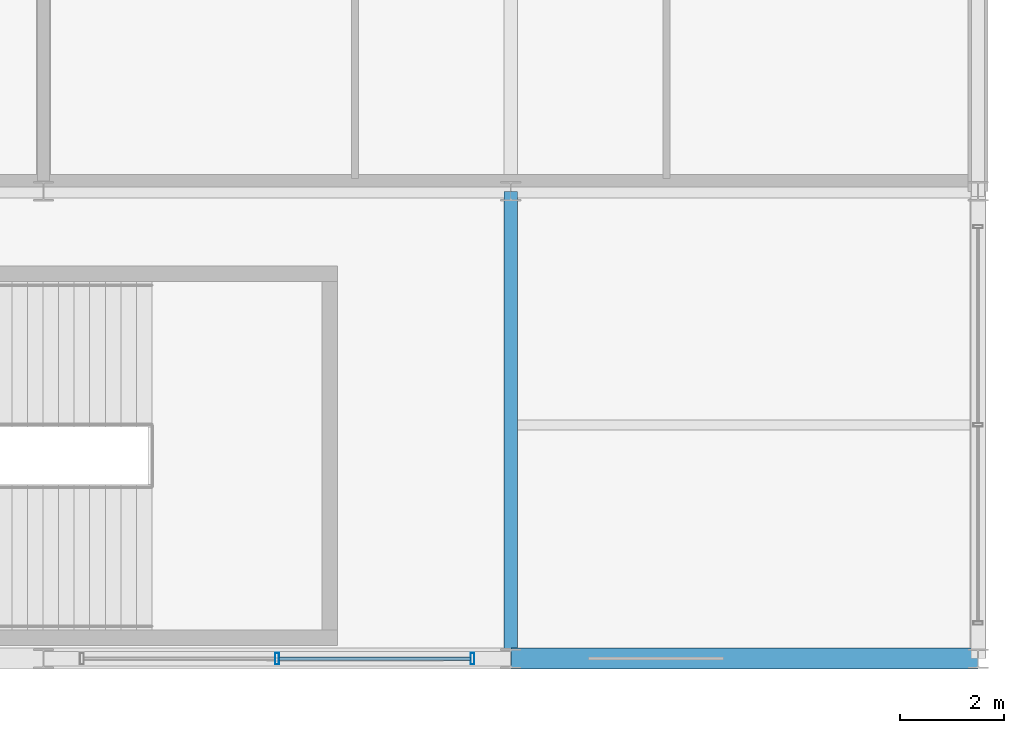
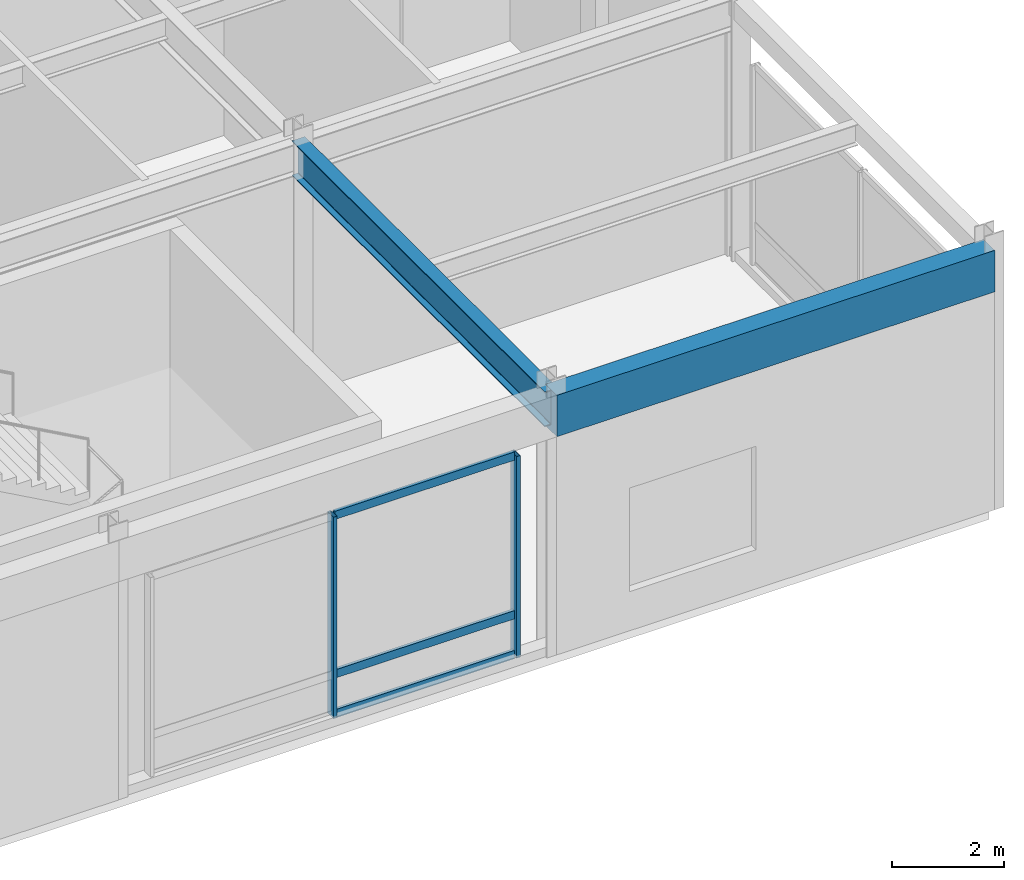
# One storey, part 51 of 108: 5 members, 2 beams, 1 element without a shape of its own.
"""IFC4 building model written with IfcOpenShell, lengths in metres."""

from ifc_helpers import new_model, si_unit, direction, frame, origin, origin_2d, place, context, subcontext, project, spatial, rectangle, hollow_rectangle, i_section, extrude, material, material_profile, profile_set, type_object, element, aggregate, save


model = new_model("IFC4")

# Units and contexts
model_context = context("Model", 3, precision=1e-05, world=origin(), true_north=direction((0.0, 1.0)))
body_context = subcontext(model_context, "Body", "Model", "MODEL_VIEW")
ifc_project = project(units=[si_unit("LENGTHUNIT", "METRE"), si_unit("AREAUNIT", "SQUARE_METRE"), si_unit("VOLUMEUNIT", "CUBIC_METRE"), si_unit("PLANEANGLEUNIT", "RADIAN"), si_unit("MASSUNIT", "GRAM", prefix="KILO")], contexts=[model_context])

# Site, building, storey
site_placement = place(None, origin())
site = spatial("IfcSite", under=ifc_project, at=site_placement, CompositionType="ELEMENT")
building_placement = place(site_placement, origin())
building = spatial("IfcBuilding", under=site, at=building_placement, Name="Kaldorvane Square Convention Centre", CompositionType="ELEMENT")
storey_placement = place(building_placement, frame((0.0, 0.0, 12.0)))
storey = spatial("IfcBuildingStorey", under=building, at=storey_placement, Name="L02", CompositionType="ELEMENT", Elevation=12.0)

# Beams
ifc_material_1 = material(Name="Steel ASTM A992 Gr. 50", Category="steel")
ifc_material_profile_1 = material_profile(ifc_material_1, i_section(OverallWidth=0.2666015625, OverallDepth=0.762298583984375, WebThickness=0.014404296875, FlangeThickness=0.0216064453125, FilletRadius=0.0164947509765625, at=origin_2d()), Name="W30X116")
ifc_profile_set_1 = profile_set([ifc_material_profile_1], Name="Steel ASTM A992 Gr. 50")
beam_type_1 = type_object("IfcBeamType", Name="BM-GR-W30X116", PredefinedType="BEAM", material=ifc_profile_set_1)
beam_1_placement = place(storey_placement, frame((165.0, 0.0, 5.264801025390625), z_axis=(0.0, 1.0, 0.0), x_axis=(-1.0, 0.0, 0.0)))
element("IfcBeam", 1, at=beam_1_placement, inside=storey, type_object=beam_type_1, Name="Transverse Girder (L02)", PredefinedType="BEAM", context=body_context, shape_type="SweptSolid", body=[
    extrude(i_section(OverallWidth=0.2666015625, OverallDepth=0.762298583984375, WebThickness=0.014404296875, FlangeThickness=0.0216064453125, FilletRadius=0.0164947509765625, at=origin_2d()), origin(), (0.0, 0.0, 1.0), 9.0),
])
ifc_material_2 = material(Name="Concrete f'c = 42 MPa (Normalweight)", Category="concrete")
ifc_material_profile_2 = material_profile(ifc_material_2, rectangle(XDim=0.399993896484375, YDim=0.899993896484375, at=origin_2d()), Name="RCSP900X400")
ifc_profile_set_2 = profile_set([ifc_material_profile_2], Name="Concrete f'c = 42 MPa (Normalweight)")
beam_type_2 = type_object("IfcBeamType", Name="BM-SP-RC900", PredefinedType="SPANDREL", material=ifc_profile_set_2)
beam_2_placement = place(storey_placement, frame((165.0, 0.0, 5.1959991455078125), z_axis=(1.0, 0.0, 0.0), x_axis=(0.0, 1.0, 0.0)))
element("IfcBeam", 2, at=beam_2_placement, inside=storey, type_object=beam_type_2, Name="Perimeter Spandrel (L02)", PredefinedType="SPANDREL", context=body_context, shape_type="SweptSolid", body=[
    extrude(rectangle(XDim=0.399993896484375, YDim=0.899993896484375, at=origin_2d()), origin(), (0.0, 0.0, 1.0), 9.0),
])

# Curtain wall, members
ifc_material_3 = material(Name="Anodized Aluminum and Low-E Insulated Glazing", Category="aluminium")
curtain_wall_type = type_object("IfcCurtainWallType", Name="CW-UNI-P60-12", PredefinedType="USERDEFINED", material=ifc_material_3)
curtain_wall_placement = place(storey_placement, origin())
curtain_wall = element("IfcCurtainWall", 3, at=curtain_wall_placement, inside=storey, type_object=curtain_wall_type, Name="Curtain Wall CW-01 (L02)", ObjectType="UNITISED GLAZING", PredefinedType="USERDEFINED")
ifc_material_profile_3 = material_profile(ifc_material_3, hollow_rectangle(XDim=0.0749969482421875, YDim=0.220001220703125, WallThickness=0.003997802734375, at=origin_2d()), Name="CWM-220X75")
ifc_profile_set_3 = profile_set([ifc_material_profile_3], Name="Anodized Aluminum and Low-E Insulated Glazing")
member_type_1 = type_object("IfcMemberType", Name="CW-MUL-220", PredefinedType="MULLION", material=ifc_profile_set_3)
member_1_placement = place(storey_placement, frame((160.5, 0.0, 0.149993896484375), z_axis=(0.0, 0.0, 1.0), x_axis=(1.0, 0.0, 0.0)))
member_1 = element("IfcMember", 4, at=member_1_placement, type_object=member_type_1, Name="CW-01 mullion 2", PredefinedType="MULLION", context=body_context, shape_type="SweptSolid", body=[
    extrude(hollow_rectangle(XDim=0.0749969482421875, YDim=0.220001220703125, WallThickness=0.003997802734375, at=origin_2d()), origin(), (0.0, 0.0, 1.0), 4.3800048828125),
])
member_2_placement = place(storey_placement, frame((164.2624969482422, 0.0, 0.149993896484375), z_axis=(0.0, 0.0, 1.0), x_axis=(1.0, 0.0, 0.0)))
member_2 = element("IfcMember", 5, at=member_2_placement, type_object=member_type_1, Name="CW-01 mullion 3", PredefinedType="MULLION", context=body_context, shape_type="SweptSolid", body=[
    extrude(hollow_rectangle(XDim=0.0749969482421875, YDim=0.220001220703125, WallThickness=0.003997802734375, at=origin_2d()), origin(), (0.0, 0.0, 1.0), 4.3800048828125),
])
ifc_material_profile_4 = material_profile(ifc_material_3, hollow_rectangle(XDim=0.06500244140625, YDim=0.17999267578125, WallThickness=0.0034942626953125, at=origin_2d()), Name="CWT-180X65")
ifc_profile_set_4 = profile_set([ifc_material_profile_4], Name="Anodized Aluminum and Low-E Insulated Glazing")
member_type_2 = type_object("IfcMemberType", Name="CW-TRN-180", PredefinedType="USERDEFINED", material=ifc_profile_set_4)
member_3_placement = place(storey_placement, frame((160.53750610351562, 0.0, 0.1824951171875), z_axis=(1.0, 0.0, 0.0), x_axis=(0.0, 1.0, 0.0)))
member_3 = element("IfcMember", 6, at=member_3_placement, type_object=member_type_2, Name="CW-01 transom 2.1", ObjectType="TRANSOM", PredefinedType="USERDEFINED", context=body_context, shape_type="SweptSolid", body=[
    extrude(hollow_rectangle(XDim=0.06500244140625, YDim=0.17999267578125, WallThickness=0.0034942626953125, at=origin_2d()), origin(), (0.0, 0.0, 1.0), 3.6875),
])
member_4_placement = place(storey_placement, frame((160.53750610351562, 0.0, 1.0500030517578125), z_axis=(1.0, 0.0, 0.0), x_axis=(0.0, 1.0, 0.0)))
member_4 = element("IfcMember", 7, at=member_4_placement, type_object=member_type_2, Name="CW-01 transom 2.2", ObjectType="TRANSOM", PredefinedType="USERDEFINED", context=body_context, shape_type="SweptSolid", body=[
    extrude(hollow_rectangle(XDim=0.06500244140625, YDim=0.17999267578125, WallThickness=0.0034942626953125, at=origin_2d()), origin(), (0.0, 0.0, 1.0), 3.6875),
])
member_5_placement = place(storey_placement, frame((160.53750610351562, 0.0, 4.49749755859375), z_axis=(1.0, 0.0, 0.0), x_axis=(0.0, 1.0, 0.0)))
member_5 = element("IfcMember", 8, at=member_5_placement, type_object=member_type_2, Name="CW-01 transom 2.3", ObjectType="TRANSOM", PredefinedType="USERDEFINED", context=body_context, shape_type="SweptSolid", body=[
    extrude(hollow_rectangle(XDim=0.06500244140625, YDim=0.17999267578125, WallThickness=0.0034942626953125, at=origin_2d()), origin(), (0.0, 0.0, 1.0), 3.6875),
])
aggregate(curtain_wall, [member_1, member_2, member_3, member_4, member_5])

save(model, "model.ifc")
